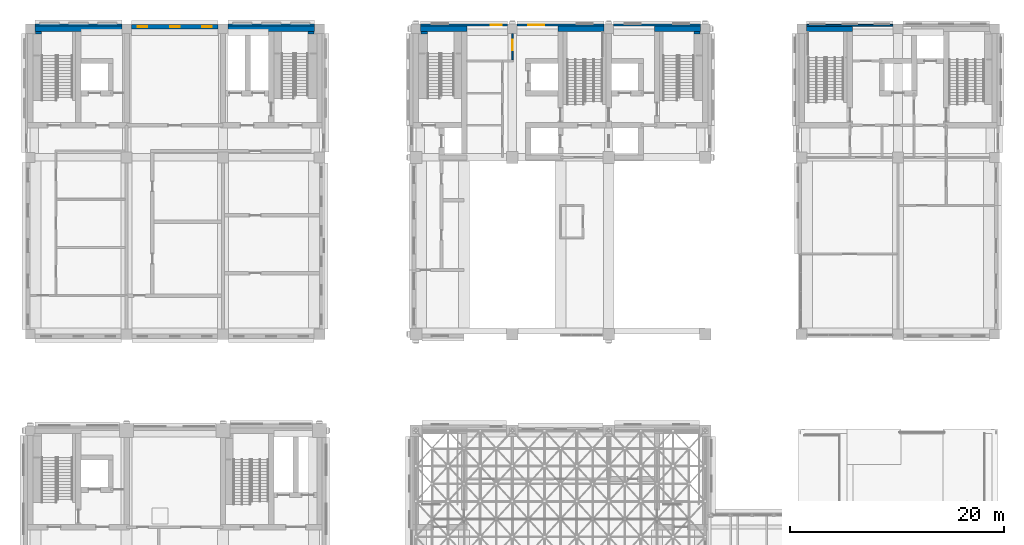
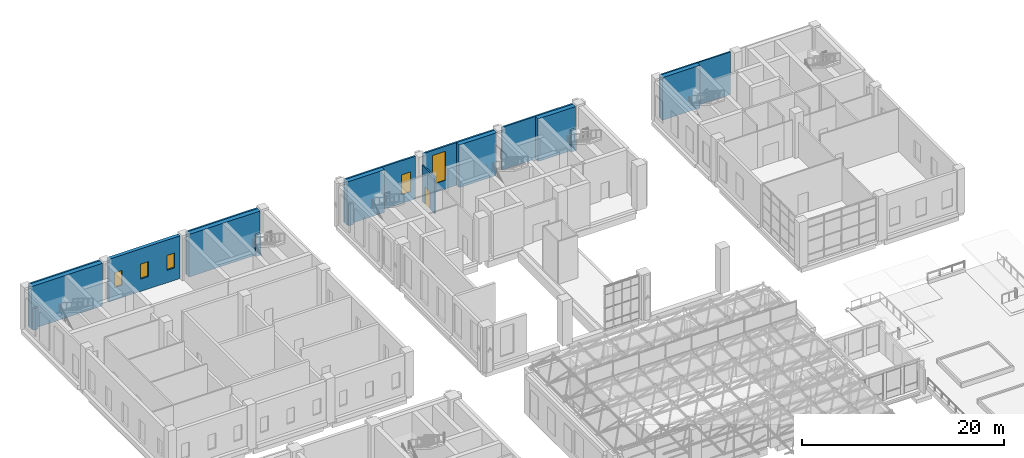
# One storey, part 36 of 53: 18 walls, 5 windows, 1 door, 6 openings.
"""IFC4 building model written with IfcOpenShell, lengths in metres."""

from ifc_helpers import new_model, si_unit, direction, frame, frame_2d, origin, place, context, subcontext, project, spatial, rectangle, extrude, material, layer, layer_set, type_object, element, fill, save


model = new_model("IFC4")

# Units and contexts
model_context = context("Model", 3, precision=1e-05, world=origin(), true_north=direction((0.0, 1.0)))
body_context = subcontext(model_context, "Body", "Model", "MODEL_VIEW")
ifc_project = project(units=[si_unit("LENGTHUNIT", "METRE"), si_unit("AREAUNIT", "SQUARE_METRE"), si_unit("VOLUMEUNIT", "CUBIC_METRE"), si_unit("PLANEANGLEUNIT", "RADIAN"), si_unit("MASSUNIT", "GRAM", prefix="KILO")], contexts=[model_context])

# Site, building, storey
site_placement = place(None, origin())
site = spatial("IfcSite", under=ifc_project, at=site_placement, CompositionType="ELEMENT")
building_placement = place(site_placement, origin())
building = spatial("IfcBuilding", under=site, at=building_placement, Name="Aurelan Courthouse", CompositionType="ELEMENT")
storey_placement = place(building_placement, frame((0.0, 0.0, 12.0)))
storey = spatial("IfcBuildingStorey", under=building, at=storey_placement, Name="L02", CompositionType="ELEMENT", Elevation=12.0)

# Wall, opening, door
ifc_material_1 = material(Name="Gypsum board on metal studs")
ifc_layer_1 = layer(ifc_material_1, 0.14990234375)
ifc_layer_set_1 = layer_set([ifc_layer_1], Name="Gypsum board on metal studs")
wall_type_1 = type_object("IfcWallType", Name="Corridor partition 150 EI 60", PredefinedType="PARTITIONING", material=ifc_layer_set_1)
wall_1_placement = place(storey_placement, frame((45.0, 63.074951171875, 0.0), z_axis=(0.0, 0.0, 1.0), x_axis=(0.0, 1.0, 0.0)))
wall_1 = element("IfcWall", 1, at=wall_1_placement, inside=storey, type_object=wall_type_1, Name="Corridor partition L02-070", PredefinedType="PARTITIONING", context=body_context, shape_type="SweptSolid", body=[
    extrude(rectangle(XDim=2.47509765625, YDim=0.14990234375, at=frame_2d((1.237548828125, 0.0))), origin(), (0.0, 0.0, 1.0), 4.39990234375),
])
opening_1_placement = place(wall_1_placement, frame((0.925048828125, 0.0, 0.0)))
opening_1 = element("IfcOpeningElement", 2, at=opening_1_placement, cuts=wall_1, Name="Opening D-L02-029", PredefinedType="OPENING", context=body_context, shape_type="SweptSolid", body=[
    extrude(rectangle(XDim=1.0, YDim=2.10009765625, at=frame_2d((0.5, 1.050048828125))), frame((0.0, 0.0849609375, 0.0), z_axis=(0.0, -1.0, 0.0), x_axis=(1.0, 0.0, 0.0)), (0.0, 0.0, 1.0), 0.169921875),
])
ifc_material_2 = material(Name="Steel", Category="steel")
door_type = type_object("IfcDoorType", Name="Single door 1000 x 2100 FD60", OperationType="SINGLE_SWING_LEFT", PredefinedType="DOOR", material=ifc_material_2)
door_placement = place(opening_1_placement, origin())
door = element("IfcDoor", 3, at=door_placement, inside=storey, type_object=door_type, Name="Single door D-L02-029", OperationType="SINGLE_SWING_LEFT", OverallHeight=2.10009765625, OverallWidth=1.0, PredefinedType="DOOR", context=body_context, shape_type="SweptSolid", body=[
    extrude(rectangle(XDim=1.0, YDim=2.10009765625, at=frame_2d((0.5, 1.050048828125))), frame((0.0, 0.02490234375, 0.0), z_axis=(0.0, -1.0, 0.0), x_axis=(1.0, 0.0, 0.0)), (0.0, 0.0, 1.0), 0.050048828125),
])
fill(opening_1, door)

# Wall, opening, window
ifc_material_3 = material(Name="Limestone cladding", Category="masonry")
ifc_layer_2 = layer(ifc_material_3, 0.054931640625, Name="Facing")
ifc_material_4 = material(Name="Ventilated cavity")
ifc_layer_3 = layer(ifc_material_4, 0.02490234375, ventilated=True, Name="Ventilated cavity")
ifc_material_5 = material(Name="Mineral wool insulation")
ifc_layer_4 = layer(ifc_material_5, 0.030029296875, Name="Insulation")
ifc_material_6 = material(Name="Concrete C30", Category="concrete")
ifc_layer_5 = layer(ifc_material_6, 0.090087890625, Name="Structure")
ifc_layer_set_2 = layer_set([ifc_layer_2, ifc_layer_3, ifc_layer_4, ifc_layer_5], Name="Concrete C30")
wall_type_2 = type_object("IfcWallType", Name="Courtroom Block stone-faced wall 200", PredefinedType="SOLIDWALL", material=ifc_layer_set_2)
wall_2_placement = place(storey_placement, frame((36.449951171875, 66.35009765625, 0.0), z_axis=(0.0, 0.0, 1.0), x_axis=(1.0, 0.0, 0.0)))
wall_2 = element("IfcWall", 4, at=wall_2_placement, inside=storey, type_object=wall_type_2, Name="Facade wall FW-V2-L02-002", PredefinedType="SOLIDWALL", context=body_context, shape_type="SweptSolid", body=[
    extrude(rectangle(XDim=8.10009765625, YDim=0.199951171875, at=frame_2d((4.050048828125, 0.0))), origin(), (0.0, 0.0, 1.0), 5.14990234375),
])
opening_2_placement = place(wall_2_placement, frame((6.52490234375, 0.0, 1.050048828125)))
opening_2 = element("IfcOpeningElement", 5, at=opening_2_placement, cuts=wall_2, Name="Opening WN-V2-L02-002", PredefinedType="OPENING", context=body_context, shape_type="SweptSolid", body=[
    extrude(rectangle(XDim=1.050048828125, YDim=2.39990234375, at=frame_2d((0.52490234375, 1.199951171875))), frame((0.0, 0.10986328125, 0.0), z_axis=(0.0, -1.0, 0.0), x_axis=(1.0, 0.0, 0.0)), (0.0, 0.0, 1.0), 0.219970703125),
])
ifc_material_7 = material(Name="Bronze-finished aluminium and glass", Category="aluminium")
window_type_1 = type_object("IfcWindowType", Name="Courtroom Block window 1050 x 2400, sill 1050", PartitioningType="SINGLE_PANEL", PredefinedType="WINDOW", material=ifc_material_7)
window_1_placement = place(opening_2_placement, origin())
window_1 = element("IfcWindow", 6, at=window_1_placement, inside=storey, type_object=window_type_1, Name="Window WN-V2-L02-002", OverallHeight=2.39990234375, OverallWidth=1.050048828125, PartitioningType="SINGLE_PANEL", PredefinedType="WINDOW", context=body_context, shape_type="SweptSolid", body=[
    extrude(rectangle(XDim=1.050048828125, YDim=2.39990234375, at=frame_2d((0.52490234375, 1.199951171875))), frame((0.0, 0.030029296875, 0.0), z_axis=(0.0, -1.0, 0.0), x_axis=(1.0, 0.0, 0.0)), (0.0, 0.0, 1.0), 0.06005859375),
])
fill(opening_2, window_1)

wall_3_placement = place(storey_placement, frame((45.449951171875, 66.35009765625, 0.0), z_axis=(0.0, 0.0, 1.0), x_axis=(1.0, 0.0, 0.0)))
wall_3 = element("IfcWall", 7, at=wall_3_placement, inside=storey, type_object=wall_type_2, Name="Facade wall FW-V2-L02-003", PredefinedType="SOLIDWALL", context=body_context, shape_type="SweptSolid", body=[
    extrude(rectangle(XDim=8.10009765625, YDim=0.199951171875, at=frame_2d((4.050048828125, 0.0))), origin(), (0.0, 0.0, 1.0), 5.14990234375),
])
opening_3_placement = place(wall_3_placement, frame((1.050048828125, 0.0, 1.050048828125)))
opening_3 = element("IfcOpeningElement", 8, at=opening_3_placement, cuts=wall_3, Name="Opening WN-V2-L02-003", PredefinedType="OPENING", context=body_context, shape_type="SweptSolid", body=[
    extrude(rectangle(XDim=1.5, YDim=3.5, at=frame_2d((0.75, 1.75))), frame((0.0, 0.10986328125, 0.0), z_axis=(0.0, -1.0, 0.0), x_axis=(1.0, 0.0, 0.0)), (0.0, 0.0, 1.0), 0.219970703125),
])
window_type_2 = type_object("IfcWindowType", Name="Courtroom Block glazed slot 1500 x 3500, sill 1050", PartitioningType="SINGLE_PANEL", PredefinedType="WINDOW", material=ifc_material_7)
window_2_placement = place(opening_3_placement, origin())
window_2 = element("IfcWindow", 9, at=window_2_placement, inside=storey, type_object=window_type_2, Name="Glazed slot WN-V2-L02-003", OverallHeight=3.5, OverallWidth=1.5, PartitioningType="SINGLE_PANEL", PredefinedType="WINDOW", context=body_context, shape_type="SweptSolid", body=[
    extrude(rectangle(XDim=1.5, YDim=3.5, at=frame_2d((0.75, 1.75))), frame((0.0, 0.030029296875, 0.0), z_axis=(0.0, -1.0, 0.0), x_axis=(1.0, 0.0, 0.0)), (0.0, 0.0, 1.0), 0.06005859375),
])
fill(opening_3, window_2)

# Walls
wall_4_placement = place(storey_placement, frame((54.449951171875, 66.35009765625, 0.0), z_axis=(0.0, 0.0, 1.0), x_axis=(1.0, 0.0, 0.0)))
element("IfcWall", 10, at=wall_4_placement, inside=storey, type_object=wall_type_2, Name="Facade wall FW-V2-L02-004", PredefinedType="SOLIDWALL", context=body_context, shape_type="SweptSolid", body=[
    extrude(rectangle(XDim=8.10009765625, YDim=0.199951171875, at=frame_2d((4.050048828125, 0.0))), origin(), (0.0, 0.0, 1.0), 5.14990234375),
])
ifc_layer_6 = layer(ifc_material_3, 0.054931640625, Name="Facing")
ifc_layer_7 = layer(ifc_material_4, 0.02490234375, ventilated=True, Name="Ventilated cavity")
ifc_layer_8 = layer(ifc_material_5, 0.030029296875, Name="Insulation")
ifc_layer_9 = layer(ifc_material_6, 0.090087890625, Name="Structure")
ifc_layer_set_3 = layer_set([ifc_layer_6, ifc_layer_7, ifc_layer_8, ifc_layer_9], Name="Concrete C30")
wall_type_3 = type_object("IfcWallType", Name="Custody Suite stone-faced wall 200", PredefinedType="SOLIDWALL", material=ifc_layer_set_3)
for number, where, z_axis, x_axis, name in (
    (11, (0.449951171875, 66.35009765625, 0.0), (0.0, 0.0, 1.0), (1.0, 0.0, 0.0), "Facade wall FW-V6-L02-004"),
    (12, (18.449951171875, 66.35009765625, 0.0), (0.0, 0.0, 1.0), (1.0, 0.0, 0.0), "Facade wall FW-V6-L02-006"),
):
    element("IfcWall", number, at=place(storey_placement, frame(where, z_axis=z_axis, x_axis=x_axis)), inside=storey, type_object=wall_type_3, Name=name, PredefinedType="SOLIDWALL", context=body_context, shape_type="SweptSolid", body=[
        extrude(rectangle(XDim=8.10009765625, YDim=0.199951171875, at=frame_2d((4.050048828125, 0.0))), origin(), (0.0, 0.0, 1.0), 5.14990234375),
    ])

# Wall, openings, windows
ifc_layer_10 = layer(ifc_material_3, 0.114990234375, Name="Facing")
ifc_layer_11 = layer(ifc_material_4, 0.02490234375, ventilated=True, Name="Ventilated cavity")
ifc_layer_12 = layer(ifc_material_5, 0.054931640625, Name="Insulation")
ifc_layer_13 = layer(ifc_material_6, 0.205078125, Name="Structure")
ifc_layer_set_4 = layer_set([ifc_layer_10, ifc_layer_11, ifc_layer_12, ifc_layer_13], Name="Concrete C30")
wall_type_4 = type_object("IfcWallType", Name="Custody Suite stone-faced wall 400", PredefinedType="SOLIDWALL", material=ifc_layer_set_4)
wall_5_placement = place(storey_placement, frame((9.449951171875, 66.199951171875, 0.0), z_axis=(0.0, 0.0, 1.0), x_axis=(1.0, 0.0, 0.0)))
wall_5 = element("IfcWall", 13, at=wall_5_placement, inside=storey, type_object=wall_type_4, Name="Facade wall FW-V6-L02-005", PredefinedType="SOLIDWALL", context=body_context, shape_type="SweptSolid", body=[
    extrude(rectangle(XDim=8.10009765625, YDim=0.39990234375, at=frame_2d((4.050048828125, 0.0))), origin(), (0.0, 0.0, 1.0), 5.14990234375),
])
opening_4_placement = place(wall_5_placement, frame((0.60009765625, 0.0, 1.5)))
opening_4 = element("IfcOpeningElement", 14, at=opening_4_placement, cuts=wall_5, Name="Opening WN-V6-L02-010", PredefinedType="OPENING", context=body_context, shape_type="SweptSolid", body=[
    extrude(rectangle(XDim=0.89990234375, YDim=1.800048828125, at=frame_2d((0.449951171875, 0.89990234375))), frame((0.0, 0.2099609375, 0.0), z_axis=(0.0, -1.0, 0.0), x_axis=(1.0, 0.0, 0.0)), (0.0, 0.0, 1.0), 0.419921875),
])
opening_5_placement = place(wall_5_placement, frame((3.60009765625, 0.0, 1.5)))
opening_5 = element("IfcOpeningElement", 15, at=opening_5_placement, cuts=wall_5, Name="Opening WN-V6-L02-011", PredefinedType="OPENING", context=body_context, shape_type="SweptSolid", body=[
    extrude(rectangle(XDim=0.89990234375, YDim=1.800048828125, at=frame_2d((0.449951171875, 0.89990234375))), frame((0.0, 0.2099609375, 0.0), z_axis=(0.0, -1.0, 0.0), x_axis=(1.0, 0.0, 0.0)), (0.0, 0.0, 1.0), 0.419921875),
])
opening_6_placement = place(wall_5_placement, frame((6.60009765625, 0.0, 1.5)))
opening_6 = element("IfcOpeningElement", 16, at=opening_6_placement, cuts=wall_5, Name="Opening WN-V6-L02-012", PredefinedType="OPENING", context=body_context, shape_type="SweptSolid", body=[
    extrude(rectangle(XDim=0.89990234375, YDim=1.800048828125, at=frame_2d((0.449951171875, 0.89990234375))), frame((0.0, 0.2099609375, 0.0), z_axis=(0.0, -1.0, 0.0), x_axis=(1.0, 0.0, 0.0)), (0.0, 0.0, 1.0), 0.419921875),
])
window_type_3 = type_object("IfcWindowType", Name="Custody Suite window 900 x 1800, sill 1500", PartitioningType="SINGLE_PANEL", PredefinedType="WINDOW", material=ifc_material_7)
window_3_placement = place(opening_4_placement, origin())
window_3 = element("IfcWindow", 17, at=window_3_placement, inside=storey, type_object=window_type_3, Name="Window WN-V6-L02-010", OverallHeight=1.800048828125, OverallWidth=0.89990234375, PartitioningType="SINGLE_PANEL", PredefinedType="WINDOW", context=body_context, shape_type="SweptSolid", body=[
    extrude(rectangle(XDim=0.89990234375, YDim=1.800048828125, at=frame_2d((0.449951171875, 0.89990234375))), frame((0.0, 0.030029296875, 0.0), z_axis=(0.0, -1.0, 0.0), x_axis=(1.0, 0.0, 0.0)), (0.0, 0.0, 1.0), 0.06005859375),
])
fill(opening_4, window_3)
window_4_placement = place(opening_5_placement, origin())
window_4 = element("IfcWindow", 18, at=window_4_placement, inside=storey, type_object=window_type_3, Name="Window WN-V6-L02-011", OverallHeight=1.800048828125, OverallWidth=0.89990234375, PartitioningType="SINGLE_PANEL", PredefinedType="WINDOW", context=body_context, shape_type="SweptSolid", body=[
    extrude(rectangle(XDim=0.89990234375, YDim=1.800048828125, at=frame_2d((0.449951171875, 0.89990234375))), frame((0.0, 0.030029296875, 0.0), z_axis=(0.0, -1.0, 0.0), x_axis=(1.0, 0.0, 0.0)), (0.0, 0.0, 1.0), 0.06005859375),
])
fill(opening_5, window_4)
window_5_placement = place(opening_6_placement, origin())
window_5 = element("IfcWindow", 19, at=window_5_placement, inside=storey, type_object=window_type_3, Name="Window WN-V6-L02-012", OverallHeight=1.800048828125, OverallWidth=0.89990234375, PartitioningType="SINGLE_PANEL", PredefinedType="WINDOW", context=body_context, shape_type="SweptSolid", body=[
    extrude(rectangle(XDim=0.89990234375, YDim=1.800048828125, at=frame_2d((0.449951171875, 0.89990234375))), frame((0.0, 0.030029296875, 0.0), z_axis=(0.0, -1.0, 0.0), x_axis=(1.0, 0.0, 0.0)), (0.0, 0.0, 1.0), 0.06005859375),
])
fill(opening_6, window_5)

# Walls
ifc_layer_14 = layer(ifc_material_3, 0.050048828125, Name="Facing")
ifc_layer_15 = layer(ifc_material_4, 0.02490234375, ventilated=True, Name="Ventilated cavity")
ifc_layer_16 = layer(ifc_material_5, 0.02490234375, Name="Insulation")
ifc_layer_17 = layer(ifc_material_6, 0.070068359375, Name="Structure")
ifc_layer_set_5 = layer_set([ifc_layer_14, ifc_layer_15, ifc_layer_16, ifc_layer_17], Name="Concrete C30")
wall_type_5 = type_object("IfcWallType", Name="Law Library stone-faced wall 170", PredefinedType="SOLIDWALL", material=ifc_layer_set_5)
wall_6_placement = place(storey_placement, frame((72.449951171875, 66.3349609375, 0.0), z_axis=(0.0, 0.0, 1.0), x_axis=(1.0, 0.0, 0.0)))
element("IfcWall", 20, at=wall_6_placement, inside=storey, type_object=wall_type_5, Name="Facade wall FW-V3-L02-002", PredefinedType="SOLIDWALL", context=body_context, shape_type="SweptSolid", body=[
    extrude(rectangle(XDim=8.10009765625, YDim=0.169921875, at=frame_2d((4.050048828125, 0.0))), origin(), (0.0, 0.0, 1.0), 5.14990234375),
])
ifc_material_8 = material(Name="Concrete C50", Category="concrete")
ifc_layer_18 = layer(ifc_material_8, 0.5)
ifc_layer_set_6 = layer_set([ifc_layer_18], Name="Concrete C50")
wall_type_6 = type_object("IfcWallType", Name="RC shear wall 500", PredefinedType="SHEAR", material=ifc_layer_set_6)
for number, where, z_axis, x_axis, name in (
    (21, (0.449951171875, 66.0, 0.0), (0.0, 0.0, 1.0), (1.0, 0.0, 0.0), "Core wall SW-L02-072"),
    (22, (18.449951171875, 66.0, 0.0), (0.0, 0.0, 1.0), (1.0, 0.0, 0.0), "Core wall SW-L02-073"),
):
    element("IfcWall", number, at=place(storey_placement, frame(where, z_axis=z_axis, x_axis=x_axis)), inside=storey, type_object=wall_type_6, Name=name, PredefinedType="SHEAR", context=body_context, shape_type="SweptSolid", body=[
        extrude(rectangle(XDim=8.10009765625, YDim=0.5, at=frame_2d((4.050048828125, 0.0))), origin(), (0.0, 0.0, 1.0), 5.14990234375),
    ])
for number, where, z_axis, x_axis, name in (
    (23, (36.449951171875, 66.0, 0.0), (0.0, 0.0, 1.0), (1.0, 0.0, 0.0), "Core wall SW-L02-074"),
    (24, (49.25, 66.0, 0.0), (0.0, 0.0, 1.0), (1.0, 0.0, 0.0), "Core wall SW-L02-075"),
    (25, (58.25, 66.0, 0.0), (0.0, 0.0, 1.0), (1.0, 0.0, 0.0), "Core wall SW-L02-076"),
    (26, (72.449951171875, 66.0, 0.0), (0.0, 0.0, 1.0), (1.0, 0.0, 0.0), "Core wall SW-L02-077"),
):
    element("IfcWall", number, at=place(storey_placement, frame(where, z_axis=z_axis, x_axis=x_axis)), inside=storey, type_object=wall_type_6, Name=name, PredefinedType="SHEAR", context=body_context, shape_type="SweptSolid", body=[
        extrude(rectangle(XDim=4.300048828125, YDim=0.5, at=frame_2d((2.14990234375, 0.0))), origin(), (0.0, 0.0, 1.0), 5.14990234375),
    ])
ifc_layer_19 = layer(ifc_material_6, 0.56005859375)
ifc_layer_set_7 = layer_set([ifc_layer_19], Name="Concrete C30")
wall_type_7 = type_object("IfcWallType", Name="Stair well wall 560 EI 120 load-bearing", PredefinedType="SHEAR", material=ifc_layer_set_7)
for number, where, z_axis, x_axis, name in (
    (27, (36.780029296875, 65.5, 0.0), (0.0, 0.0, 1.0), (0.0, 1.0, 0.0), "Stair well wall CS-2-L02 A2"),
    (28, (26.219970703125, 65.5, 0.0), (0.0, 0.0, 1.0), (0.0, 1.0, 0.0), "Stair well wall CS-6-L02 B2"),
    (29, (62.219970703125, 65.5, 0.0), (0.0, 0.0, 1.0), (0.0, 1.0, 0.0), "Stair well wall ST-2E-L02 B2"),
    (30, (0.780029296875, 65.5, 0.0), (0.0, 0.0, 1.0), (0.0, 1.0, 0.0), "Stair well wall ST-6-L02 A2"),
):
    element("IfcWall", number, at=place(storey_placement, frame(where, z_axis=z_axis, x_axis=x_axis)), inside=storey, type_object=wall_type_7, Name=name, PredefinedType="SHEAR", context=body_context, shape_type="SweptSolid", body=[
        extrude(rectangle(XDim=0.25, YDim=0.56005859375, at=frame_2d((0.125, 0.0))), origin(), (0.0, 0.0, 1.0), 2.587158203125),
    ])

save(model, "model.ifc")
